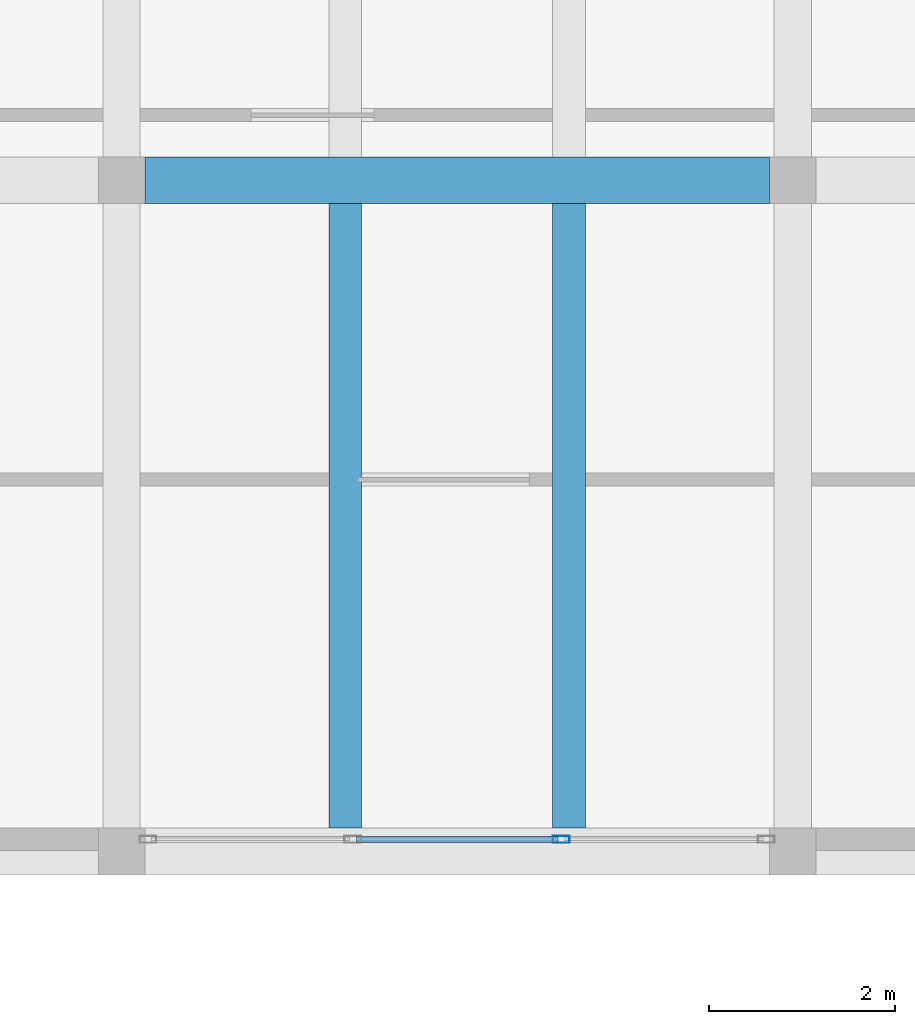
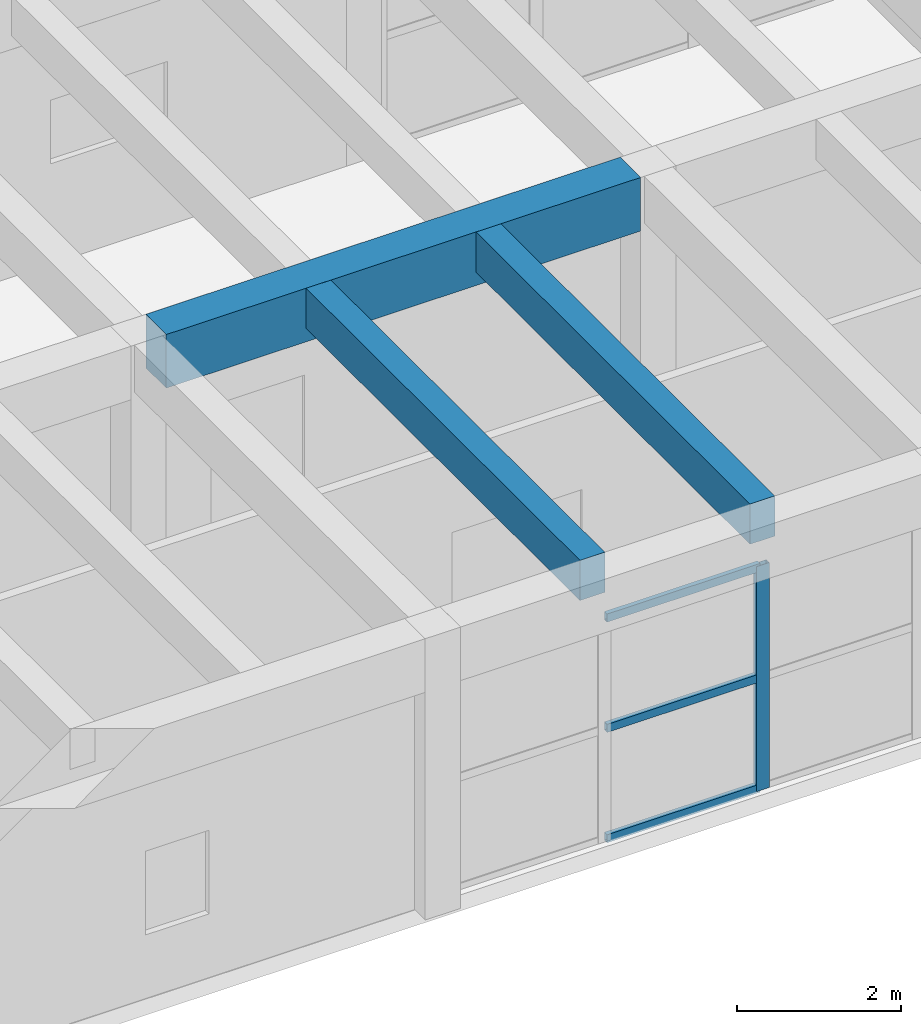
# One storey, part 56 of 153: 4 members, 3 beams, 1 element without a shape of its own.
"""IFC4 building model written with IfcOpenShell, lengths in metres."""

from ifc_helpers import new_model, si_unit, direction, frame, origin, origin_2d, place, context, subcontext, project, spatial, rectangle, hollow_rectangle, extrude, material, material_profile, profile_set, type_object, element, aggregate, save


model = new_model("IFC4")

# Units and contexts
model_context = context("Model", 3, precision=1e-05, world=origin(), true_north=direction((0.0, 1.0)))
body_context = subcontext(model_context, "Body", "Model", "MODEL_VIEW")
ifc_project = project(units=[si_unit("LENGTHUNIT", "METRE"), si_unit("AREAUNIT", "SQUARE_METRE"), si_unit("VOLUMEUNIT", "CUBIC_METRE"), si_unit("PLANEANGLEUNIT", "RADIAN"), si_unit("MASSUNIT", "GRAM", prefix="KILO")], contexts=[model_context])

# Site, building, storey
site_placement = place(None, origin())
site = spatial("IfcSite", under=ifc_project, at=site_placement, CompositionType="ELEMENT")
building_placement = place(site_placement, origin())
building = spatial("IfcBuilding", under=site, at=building_placement, Name="Bramvelor Terrace Health Centre", CompositionType="ELEMENT")
storey_placement = place(building_placement, frame((0.0, 0.0, 4.800048828125)))
storey = spatial("IfcBuildingStorey", under=building, at=storey_placement, Name="L02", CompositionType="ELEMENT", Elevation=4.800048828125)

# Beams
ifc_material_1 = material(Name="Concrete C40/50", Category="concrete")
ifc_material_profile_1 = material_profile(ifc_material_1, rectangle(XDim=0.5, YDim=0.800048828125, at=origin_2d()), Name="RC 500x800")
ifc_profile_set_1 = profile_set([ifc_material_profile_1], Name="Concrete C40/50")
beam_type_1 = type_object("IfcBeamType", Name="BM-RC-G800", PredefinedType="BEAM", material=ifc_profile_set_1)
beam_placement = place(storey_placement, frame((122.64990234375, 57.60009765625, 3.800048828125), z_axis=(1.0, 0.0, 0.0), x_axis=(0.0, 1.0, 0.0)))
element("IfcBeam", 1, at=beam_placement, inside=storey, type_object=beam_type_1, Name="L02 Floor Girder", PredefinedType="BEAM", context=body_context, shape_type="SweptSolid", body=[
    extrude(rectangle(XDim=0.5, YDim=0.800048828125, at=origin_2d()), origin(), (0.0, 0.0, 1.0), 6.7001953125),
])
ifc_material_2 = material(Name="Concrete C40/50", Category="concrete")
ifc_material_profile_2 = material_profile(ifc_material_2, rectangle(XDim=0.35009765625, YDim=0.60009765625, at=origin_2d()), Name="RC 350x600")
ifc_profile_set_2 = profile_set([ifc_material_profile_2], Name="Concrete C40/50")
beam_type_2 = type_object("IfcBeamType", Name="BM-RC-J600", PredefinedType="JOIST", material=ifc_profile_set_2)
for number, where, z_axis, x_axis, name in (
    (2, (124.800048828125, 50.64990234375, 3.89990234375), (0.0, 1.0, 0.0), (-1.0, 0.0, 0.0), "L02 Secondary Floor Joist"),
    (3, (127.199951171875, 50.64990234375, 3.89990234375), (0.0, 1.0, 0.0), (-1.0, 0.0, 0.0), "L02 Secondary Floor Joist"),
):
    element("IfcBeam", number, at=place(storey_placement, frame(where, z_axis=z_axis, x_axis=x_axis)), inside=storey, type_object=beam_type_2, Name=name, PredefinedType="JOIST", context=body_context, shape_type="SweptSolid", body=[
        extrude(rectangle(XDim=0.35009765625, YDim=0.60009765625, at=origin_2d()), origin(), (0.0, 0.0, 1.0), 6.7001953125),
    ])

# Curtain wall, members
ifc_material_3 = material(Name="Anodized aluminium and double low-E glass", Category="aluminium")
curtain_wall_type = type_object("IfcCurtainWallType", Name="CW-SYS-16", PredefinedType="NOTDEFINED", material=ifc_material_3)
curtain_wall_placement = place(storey_placement, origin())
curtain_wall = element("IfcCurtainWall", 4, at=curtain_wall_placement, inside=storey, type_object=curtain_wall_type, Name="L02 Unitized Curtain Wall 110", PredefinedType="NOTDEFINED")
ifc_material_4 = material(Name="Anodized aluminium 6063-T6", Category="aluminium")
ifc_material_profile_3 = material_profile(ifc_material_4, hollow_rectangle(XDim=0.074951171875, YDim=0.179931640625, WallThickness=0.00341796875, at=origin_2d()), Name="ALU-MUL 75x180x3.5")
ifc_profile_set_3 = profile_set([ifc_material_profile_3], Name="Anodized aluminium 6063-T6")
member_type_1 = type_object("IfcMemberType", Name="CW-MUL-65x180", PredefinedType="MULLION", material=ifc_profile_set_3)
member_1_placement = place(storey_placement, frame((127.118408203125, 50.530029296875, 0.0), z_axis=(0.0, 0.0, 1.0), x_axis=(0.0, -1.0, 0.0)))
member_1 = element("IfcMember", 5, at=member_1_placement, type_object=member_type_1, Name="CW-16 mullion 2", PredefinedType="MULLION", context=body_context, shape_type="SweptSolid", body=[
    extrude(hollow_rectangle(XDim=0.074951171875, YDim=0.179931640625, WallThickness=0.00341796875, at=origin_2d()), origin(), (0.0, 0.0, 1.0), 3.35986328125),
])
ifc_material_5 = material(Name="Anodized aluminium 6063-T6", Category="aluminium")
ifc_material_profile_4 = material_profile(ifc_material_5, hollow_rectangle(XDim=0.06494140625, YDim=0.1201171875, WallThickness=0.0029296875, at=origin_2d()), Name="ALU-TRN 65x120x3.0")
ifc_profile_set_4 = profile_set([ifc_material_profile_4], Name="Anodized aluminium 6063-T6")
member_type_2 = type_object("IfcMemberType", Name="CW-TRN-65x150", PredefinedType="USERDEFINED", material=ifc_profile_set_4)
member_2_placement = place(storey_placement, frame((127.080810546875, 50.530029296875, 0.032470703125), z_axis=(-1.0, 0.0, 0.0), x_axis=(0.0, -1.0, 0.0)))
member_2 = element("IfcMember", 6, at=member_2_placement, type_object=member_type_2, Name="CW-16 transom 2.1", ObjectType="TRANSOM", PredefinedType="USERDEFINED", context=body_context, shape_type="SweptSolid", body=[
    extrude(hollow_rectangle(XDim=0.06494140625, YDim=0.1201171875, WallThickness=0.0029296875, at=origin_2d()), origin(), (0.0, 0.0, 1.0), 2.16162109375),
])
member_3_placement = place(storey_placement, frame((127.080810546875, 50.530029296875, 1.679931640625), z_axis=(-1.0, 0.0, 0.0), x_axis=(0.0, -1.0, 0.0)))
member_3 = element("IfcMember", 7, at=member_3_placement, type_object=member_type_2, Name="CW-16 transom 2.2", ObjectType="TRANSOM", PredefinedType="USERDEFINED", context=body_context, shape_type="SweptSolid", body=[
    extrude(hollow_rectangle(XDim=0.06494140625, YDim=0.1201171875, WallThickness=0.0029296875, at=origin_2d()), origin(), (0.0, 0.0, 1.0), 2.16162109375),
])
member_4_placement = place(storey_placement, frame((127.080810546875, 50.530029296875, 3.327392578125), z_axis=(-1.0, 0.0, 0.0), x_axis=(0.0, -1.0, 0.0)))
member_4 = element("IfcMember", 8, at=member_4_placement, type_object=member_type_2, Name="CW-16 transom 2.3", ObjectType="TRANSOM", PredefinedType="USERDEFINED", context=body_context, shape_type="SweptSolid", body=[
    extrude(hollow_rectangle(XDim=0.06494140625, YDim=0.1201171875, WallThickness=0.0029296875, at=origin_2d()), origin(), (0.0, 0.0, 1.0), 2.16162109375),
])
aggregate(curtain_wall, [member_1, member_2, member_3, member_4])

save(model, "model.ifc")
